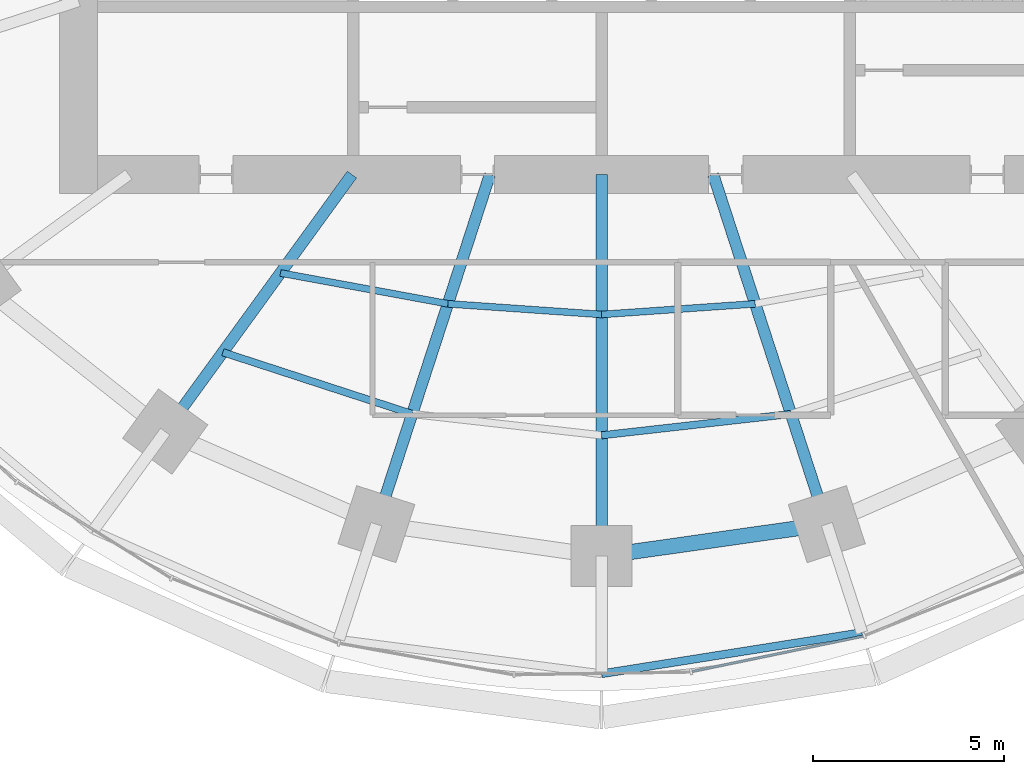
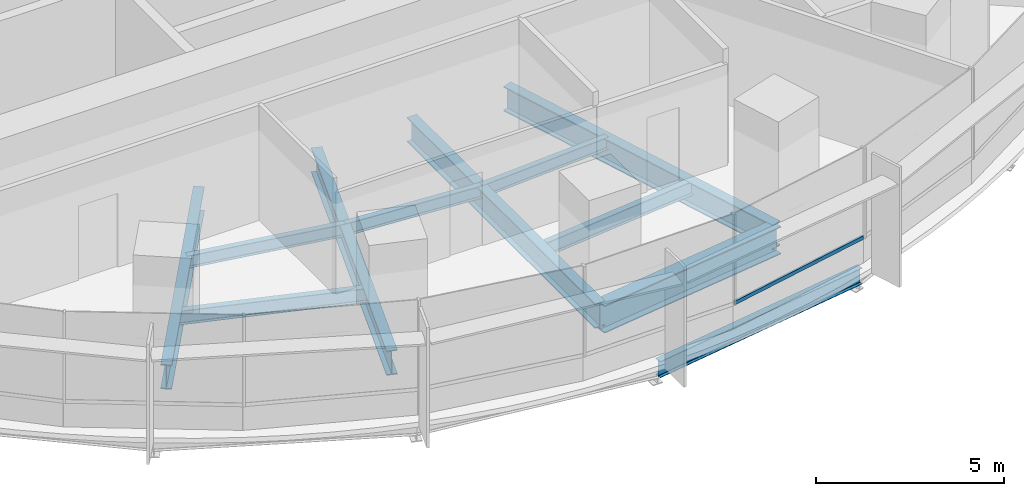
# One storey, part 3 of 14: 11 beams, 1 member, 1 element without a shape of its own.
"""IFC4 building model written with IfcOpenShell, lengths in metres."""

from ifc_helpers import new_model, si_unit, direction, frame, origin, origin_2d, place, context, subcontext, project, spatial, rectangle, i_section, extrude, material, material_profile, profile_set, type_object, element, aggregate, save


model = new_model("IFC4")

# Units and contexts
model_context = context("Model", 3, precision=1e-05, world=origin(), true_north=direction((0.0, 1.0)))
body_context = subcontext(model_context, "Body", "Model", "MODEL_VIEW")
ifc_project = project(units=[si_unit("LENGTHUNIT", "METRE"), si_unit("AREAUNIT", "SQUARE_METRE"), si_unit("VOLUMEUNIT", "CUBIC_METRE"), si_unit("PLANEANGLEUNIT", "RADIAN"), si_unit("MASSUNIT", "GRAM", prefix="KILO")], contexts=[model_context])

# Site, building, storey
site_placement = place(None, origin())
site = spatial("IfcSite", under=ifc_project, at=site_placement, CompositionType="ELEMENT")
building_placement = place(site_placement, origin())
building = spatial("IfcBuilding", under=site, at=building_placement, Name="Marramba Exchange Tower", CompositionType="ELEMENT")
storey_placement = place(building_placement, frame((0.0, 0.0, 150.89990234375)))
storey = spatial("IfcBuildingStorey", under=building, at=storey_placement, Name="L36", CompositionType="ELEMENT", Elevation=150.89990234375)

# Beams
ifc_material_1 = material(Name="Steel AS/NZS 3679.1 grade 300", Category="steel")
ifc_material_profile_1 = material_profile(ifc_material_1, i_section(OverallWidth=0.177978515625, OverallDepth=0.406005859375, WebThickness=0.0078125, FlangeThickness=0.0126953125, FilletRadius=0.011474609375, at=origin_2d()), Name="410UB59.7")
ifc_profile_set_1 = profile_set([ifc_material_profile_1], Name="Steel AS/NZS 3679.1 grade 300")
beam_type_1 = type_object("IfcBeamType", Name="Floor joist 410UB59.7", PredefinedType="JOIST", material=ifc_profile_set_1)
beam_1_placement = place(storey_placement, frame((-8.41162109375, -11.57763671875, -0.36279296875), z_axis=(0.983455754421, -0.181148500119, 0.0), x_axis=(0.181148500119, 0.983455754421, 0.0)))
element("IfcBeam", 1, at=beam_1_placement, inside=storey, type_object=beam_type_1, Name="Joist L36 bay 14 row 1", PredefinedType="JOIST", context=body_context, shape_type="SweptSolid", body=[
    extrude(i_section(OverallWidth=0.177978515625, OverallDepth=0.406005859375, WebThickness=0.0078125, FlangeThickness=0.0126953125, FilletRadius=0.011474609375, at=origin_2d()), origin(), (0.0, 0.0, 1.0), 4.4609375),
])
for number, where, z_axis, x_axis, name in (
    (2, (-4.0244140625, -12.3857421875, -0.36279296875), (0.99759625901, -0.069294328838, 0.0), (0.069294328838, 0.99759625901, 0.0), "Joist L36 bay 15 row 1"),
    (3, (0.0, -12.665283203125, -0.36279296875), (0.99759625901, 0.069294328838, 0.0), (-0.069294328838, 0.99759625901, 0.0), "Joist L36 bay 16 row 1"),
):
    element("IfcBeam", number, at=place(storey_placement, frame(where, z_axis=z_axis, x_axis=x_axis)), inside=storey, type_object=beam_type_1, Name=name, PredefinedType="JOIST", context=body_context, shape_type="SweptSolid", body=[
        extrude(i_section(OverallWidth=0.177978515625, OverallDepth=0.406005859375, WebThickness=0.0078125, FlangeThickness=0.0126953125, FilletRadius=0.011474609375, at=origin_2d()), origin(), (0.0, 0.0, 1.0), 4.0341796875),
    ])
ifc_material_profile_2 = material_profile(ifc_material_1, i_section(OverallWidth=0.18994140625, OverallDepth=0.4541015625, WebThickness=0.008544921875, FlangeThickness=0.0126953125, FilletRadius=0.011474609375, at=origin_2d()), Name="460UB67.1")
ifc_profile_set_2 = profile_set([ifc_material_profile_2], Name="Steel AS/NZS 3679.1 grade 300")
beam_type_2 = type_object("IfcBeamType", Name="Floor joist 460UB67.1", PredefinedType="JOIST", material=ifc_profile_set_2)
beam_2_placement = place(storey_placement, frame((-9.9208984375, -13.655029296875, -0.386962890625), z_axis=(0.950764024931, -0.309915744834, 0.0), x_axis=(0.309915744834, 0.950764024931, 0.0)))
element("IfcBeam", 4, at=beam_2_placement, inside=storey, type_object=beam_type_2, Name="Joist L36 bay 14 row 2", PredefinedType="JOIST", context=body_context, shape_type="SweptSolid", body=[
    extrude(i_section(OverallWidth=0.18994140625, OverallDepth=0.4541015625, WebThickness=0.008544921875, FlangeThickness=0.0126953125, FilletRadius=0.011474609375, at=origin_2d()), origin(), (0.0, 0.0, 1.0), 5.2158203125),
])
beam_3_placement = place(storey_placement, frame((0.0, -15.83056640625, -0.386962890625), z_axis=(0.993712018573, 0.111966174106, 0.0), x_axis=(-0.111966174106, 0.993712018573, 0.0)))
element("IfcBeam", 5, at=beam_3_placement, inside=storey, type_object=beam_type_2, Name="Joist L36 bay 16 row 2", PredefinedType="JOIST", context=body_context, shape_type="SweptSolid", body=[
    extrude(i_section(OverallWidth=0.18994140625, OverallDepth=0.4541015625, WebThickness=0.008544921875, FlangeThickness=0.0126953125, FilletRadius=0.011474609375, at=origin_2d()), origin(), (0.0, 0.0, 1.0), 4.993408203125),
])

# Curtain wall, member
ifc_material_2 = material(Name="Aluminium framing, bronze anodised", Category="aluminium")
curtain_wall_type = type_object("IfcCurtainWallType", Name="Office ribbon curtain wall", PredefinedType="USERDEFINED", material=ifc_material_2)
curtain_wall_placement = place(storey_placement, origin())
curtain_wall = element("IfcCurtainWall", 6, at=curtain_wall_placement, inside=storey, type_object=curtain_wall_type, Name="Curtain wall CW4 L36 F21-F25", ObjectType="RIBBON CURTAIN WALL", PredefinedType="USERDEFINED")
ifc_material_3 = material(Name="Aluminium transom, bronze anodised", Category="aluminium")
ifc_material_profile_3 = material_profile(ifc_material_3, rectangle(XDim=0.06005859375, YDim=0.1201171875, at=origin_2d()), Name="CW4 transom 60x120")
ifc_profile_set_3 = profile_set([ifc_material_profile_3], Name="Aluminium transom, bronze anodised")
member_type = type_object("IfcMemberType", Name="Office ribbon curtain wall transom", PredefinedType="USERDEFINED", material=ifc_profile_set_3)
member_placement = place(storey_placement, frame((2.374267578125, -22.017822265625, 0.830078125), z_axis=(0.979310422034, 0.202363774661, 0.0), x_axis=(-0.202363774661, 0.979310422034, 0.0)))
member = element("IfcMember", 7, at=member_placement, type_object=member_type, Name="CW4 sill transom", ObjectType="TRANSOM", PredefinedType="USERDEFINED", context=body_context, shape_type="SweptSolid", body=[
    extrude(rectangle(XDim=0.06005859375, YDim=0.1201171875, at=origin_2d()), origin(), (0.0, 0.0, 1.0), 4.57373046875),
])
aggregate(curtain_wall, [member])

# Beams
ifc_material_4 = material(Name="Steel AS/NZS 3679.2 grade 300", Category="steel")
ifc_material_profile_4 = material_profile(ifc_material_4, i_section(OverallWidth=0.300048828125, OverallDepth=0.800048828125, WebThickness=0.013916015625, FlangeThickness=0.031982421875, at=origin_2d()), Name="800WB192")
ifc_profile_set_4 = profile_set([ifc_material_profile_4], Name="Steel AS/NZS 3679.2 grade 300")
beam_type_3 = type_object("IfcBeamType", Name="Radial girder 800WB192", PredefinedType="BEAM", material=ifc_profile_set_4)
beam_4_placement = place(storey_placement, frame((-6.538818359375, -9.0, -0.559814453125), z_axis=(-0.587787877172, -0.809015087282, 0.0), x_axis=(0.809015087282, -0.587787877172, 0.0)))
element("IfcBeam", 8, at=beam_4_placement, inside=storey, type_object=beam_type_3, Name="Radial girder L36 TC14", PredefinedType="BEAM", context=body_context, shape_type="SweptSolid", body=[
    extrude(i_section(OverallWidth=0.300048828125, OverallDepth=0.800048828125, WebThickness=0.013916015625, FlangeThickness=0.031982421875, at=origin_2d()), origin(), (0.0, 0.0, 1.0), 8.322021484375),
])
beam_5_placement = place(storey_placement, frame((-2.92431640625, -9.0, -0.559814453125), z_axis=(-0.309022428985, -0.951054750466, 0.0), x_axis=(0.951054750466, -0.309022428985, 0.0)))
element("IfcBeam", 9, at=beam_5_placement, inside=storey, type_object=beam_type_3, Name="Radial girder L36 TC15", PredefinedType="BEAM", context=body_context, shape_type="SweptSolid", body=[
    extrude(i_section(OverallWidth=0.300048828125, OverallDepth=0.800048828125, WebThickness=0.013916015625, FlangeThickness=0.031982421875, at=origin_2d()), origin(), (0.0, 0.0, 1.0), 9.628173828125),
])
beam_6_placement = place(storey_placement, frame((0.0, -9.0, -0.559814453125), z_axis=(0.0, -1.0, 0.0), x_axis=(1.0, 0.0, 0.0)))
element("IfcBeam", 10, at=beam_6_placement, inside=storey, type_object=beam_type_3, Name="Radial girder L36 TC16", PredefinedType="BEAM", context=body_context, shape_type="SweptSolid", body=[
    extrude(i_section(OverallWidth=0.300048828125, OverallDepth=0.800048828125, WebThickness=0.013916015625, FlangeThickness=0.031982421875, at=origin_2d()), origin(), (0.0, 0.0, 1.0), 9.99609375),
])
beam_7_placement = place(storey_placement, frame((2.92431640625, -9.0, -0.559814453125), z_axis=(0.309022428985, -0.951054750466, 0.0), x_axis=(0.951054750466, 0.309022428985, 0.0)))
element("IfcBeam", 11, at=beam_7_placement, inside=storey, type_object=beam_type_3, Name="Radial girder L36 TC17", PredefinedType="BEAM", context=body_context, shape_type="SweptSolid", body=[
    extrude(i_section(OverallWidth=0.300048828125, OverallDepth=0.800048828125, WebThickness=0.013916015625, FlangeThickness=0.031982421875, at=origin_2d()), origin(), (0.0, 0.0, 1.0), 9.628173828125),
])
ifc_material_profile_5 = material_profile(ifc_material_4, i_section(OverallWidth=0.39990234375, OverallDepth=0.89990234375, WebThickness=0.01611328125, FlangeThickness=0.031982421875, at=origin_2d()), Name="900WB282")
ifc_profile_set_5 = profile_set([ifc_material_profile_5], Name="Steel AS/NZS 3679.2 grade 300")
beam_type_4 = type_object("IfcBeamType", Name="Ring beam 900WB282", PredefinedType="SPANDREL", material=ifc_profile_set_5)
beam_8_placement = place(storey_placement, frame((0.0, -18.99609375, -0.60986328125), z_axis=(0.990036163016, 0.140813337152, 0.0), x_axis=(-0.140813337152, 0.990036163016, 0.0)))
element("IfcBeam", 12, at=beam_8_placement, inside=storey, type_object=beam_type_4, Name="Ring beam L36 TC16-TC17", PredefinedType="SPANDREL", context=body_context, shape_type="SweptSolid", body=[
    extrude(i_section(OverallWidth=0.39990234375, OverallDepth=0.89990234375, WebThickness=0.01611328125, FlangeThickness=0.031982421875, at=origin_2d()), origin(), (0.0, 0.0, 1.0), 5.958984375),
])
ifc_material_profile_6 = material_profile(ifc_material_1, i_section(OverallWidth=0.208984375, OverallDepth=0.528076171875, WebThickness=0.009521484375, FlangeThickness=0.01318359375, FilletRadius=0.013916015625, at=origin_2d()), Name="530UB82.0")
ifc_profile_set_6 = profile_set([ifc_material_profile_6], Name="Steel AS/NZS 3679.1 grade 300")
beam_type_5 = type_object("IfcBeamType", Name="Slab edge beam 530UB82.0", PredefinedType="SPANDREL", material=ifc_profile_set_6)
beam_9_placement = place(storey_placement, frame((0.0, -22.076904296875, -0.423828125), z_axis=(0.987705008555, 0.15632919137, 0.0), x_axis=(-0.15632919137, 0.987705008555, 0.0)))
element("IfcBeam", 13, at=beam_9_placement, inside=storey, type_object=beam_type_5, Name="Slab edge beam L36 TC16-TC17", PredefinedType="SPANDREL", context=body_context, shape_type="SweptSolid", body=[
    extrude(i_section(OverallWidth=0.208984375, OverallDepth=0.528076171875, WebThickness=0.009521484375, FlangeThickness=0.01318359375, FilletRadius=0.013916015625, at=origin_2d()), origin(), (0.0, 0.0, 1.0), 6.907470703125),
])

save(model, "model.ifc")
